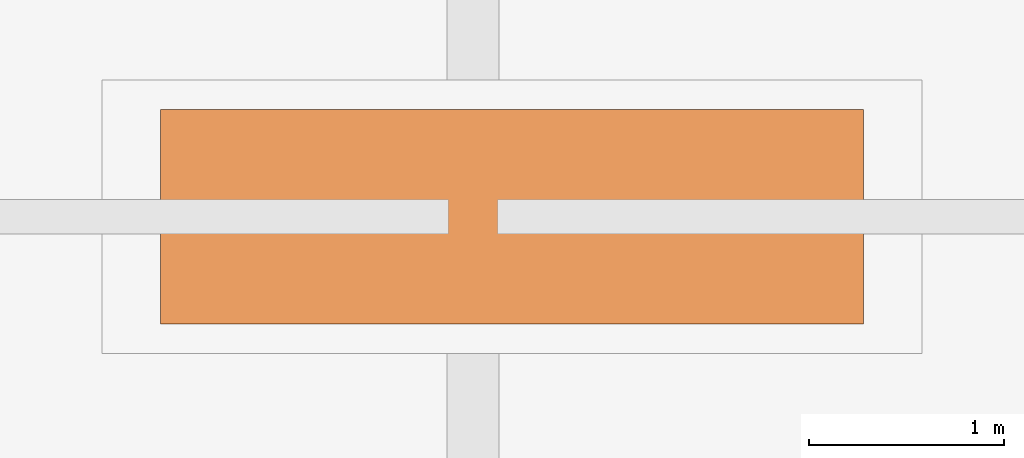
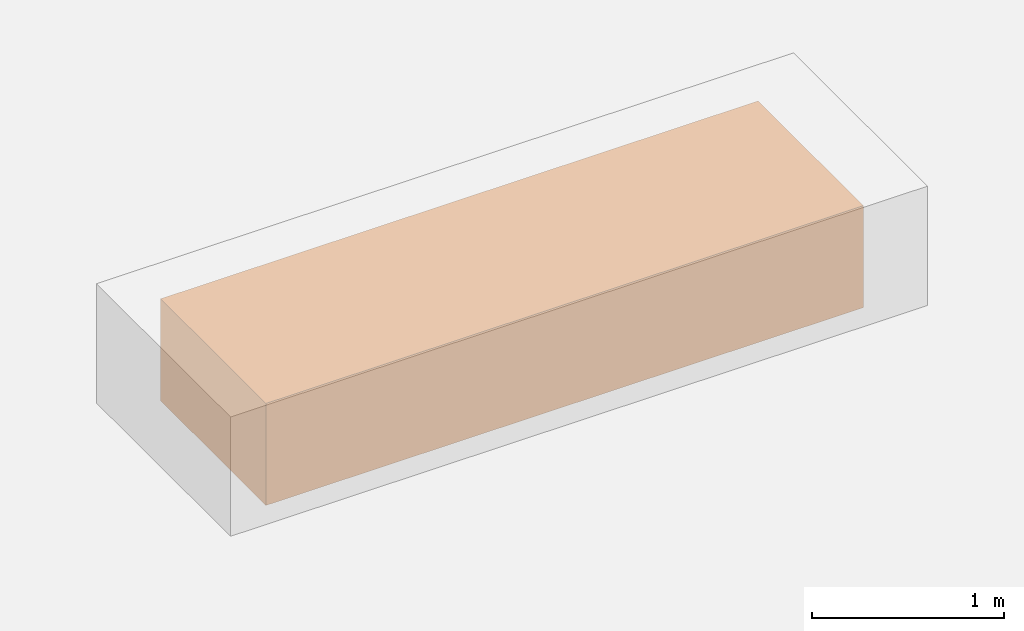
# One storey, part 51 of 51: 1 proxy.
"""IFC4 building model written with IfcOpenShell, lengths in metres."""

from ifc_helpers import new_model, si_unit, direction, frame, origin, origin_2d, place, context, subcontext, project, spatial, rectangle, extrude, material, type_object, element, save


model = new_model("IFC4")

# Units and contexts
model_context = context("Model", 3, precision=1e-05, world=origin(), true_north=direction((0.0, 1.0)))
body_context = subcontext(model_context, "Body", "Model", "MODEL_VIEW")
ifc_project = project(units=[si_unit("LENGTHUNIT", "METRE"), si_unit("AREAUNIT", "SQUARE_METRE"), si_unit("VOLUMEUNIT", "CUBIC_METRE"), si_unit("PLANEANGLEUNIT", "RADIAN"), si_unit("MASSUNIT", "GRAM", prefix="KILO")], contexts=[model_context])

# Site, building, storey
site_placement = place(None, origin())
site = spatial("IfcSite", under=ifc_project, at=site_placement, CompositionType="ELEMENT")
building_placement = place(site_placement, origin())
building = spatial("IfcBuilding", under=site, at=building_placement, Name="Tashvorn Skyway Center", CompositionType="ELEMENT")
storey_placement = place(building_placement, frame((0.0, 0.0, 251.39990234375)))
storey = spatial("IfcBuildingStorey", under=building, at=storey_placement, Name="L68", CompositionType="ELEMENT", Elevation=251.39990234375)

# Proxy
ifc_material = material(Name="Engineered Mojave xeriscape planter concrete C40/50", Category="concrete")
building_element_proxy_type = type_object("IfcBuildingElementProxyType", Name="FURN-PLANTER", PredefinedType="USERDEFINED", material=ifc_material)
proxy_placement = place(storey_placement, frame((8.60009765625, 32.0, 0.000244140625), z_axis=(0.0, 0.0, 1.0), x_axis=(1.0, 0.0, 0.0)))
element("IfcBuildingElementProxy", 1, at=proxy_placement, inside=storey, type_object=building_element_proxy_type, Name="Sky-Park L68 Mojave Xeriscape PLANTER", ObjectType="PLANTER", PredefinedType="USERDEFINED", context=body_context, shape_type="SweptSolid", body=[
    extrude(rectangle(XDim=3.60009765625, YDim=1.10009765625, at=origin_2d()), origin(), (0.0, 0.0, 1.0), 0.64990234375),
])

save(model, "model.ifc")
